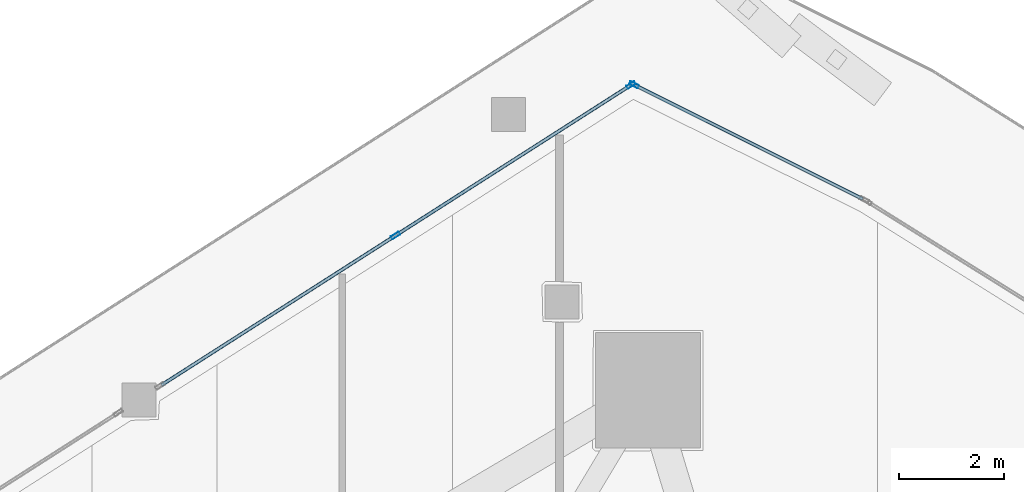
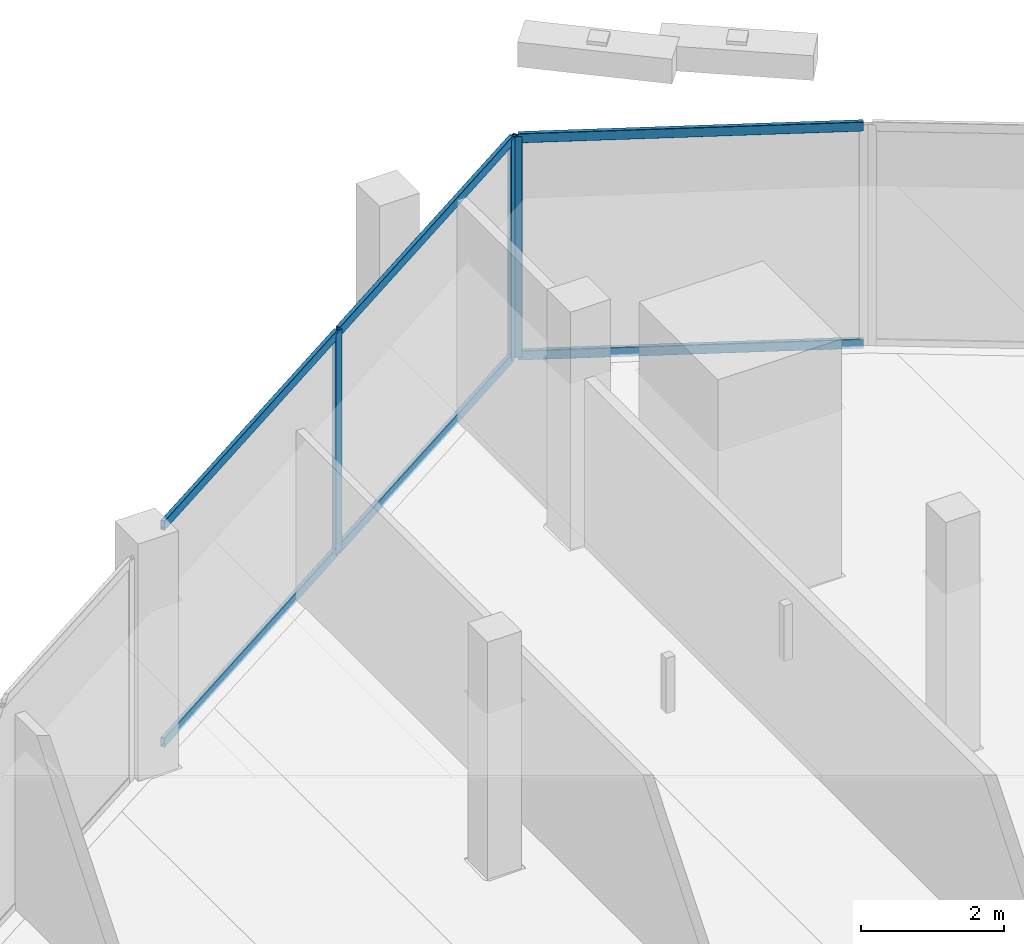
# One storey, part 24 of 45: 9 members, 2 elements without a shape of their own.
"""IFC4 building model written with IfcOpenShell, lengths in metres."""

from ifc_helpers import new_model, si_unit, direction, frame, origin, origin_2d, place, context, subcontext, project, spatial, hollow_rectangle, extrude, material, layer, layer_set, material_profile, profile_set, type_object, element, aggregate, save


model = new_model("IFC4")

# Units and contexts
model_context = context("Model", 3, precision=1e-05, world=origin(), true_north=direction((0.0, 1.0)))
body_context = subcontext(model_context, "Body", "Model", "MODEL_VIEW")
ifc_project = project(units=[si_unit("LENGTHUNIT", "METRE"), si_unit("AREAUNIT", "SQUARE_METRE"), si_unit("VOLUMEUNIT", "CUBIC_METRE"), si_unit("PLANEANGLEUNIT", "RADIAN"), si_unit("MASSUNIT", "GRAM", prefix="KILO")], contexts=[model_context])

# Site, building, storey
site_placement = place(None, origin())
site = spatial("IfcSite", under=ifc_project, at=site_placement, CompositionType="ELEMENT")
building_placement = place(site_placement, origin())
building = spatial("IfcBuilding", under=site, at=building_placement, Name="Qorvath Tower", CompositionType="ELEMENT")
storey_placement = place(building_placement, frame((0.0, 0.0, 109.800048828125)))
storey = spatial("IfcBuildingStorey", under=building, at=storey_placement, Name="L24", CompositionType="ELEMENT", Elevation=109.800048828125)

# Curtain wall, member
ifc_material_1 = material(Name="Anodised aluminium and triple low-E glass", Category="aluminium")
ifc_layer = layer(ifc_material_1, 0.179931640625)
ifc_layer_set = layer_set([ifc_layer], Name="CW-SYS-2")
curtain_wall_type = type_object("IfcCurtainWallType", Name="CW-SYS-2", PredefinedType="NOTDEFINED", material=ifc_layer_set)
curtain_wall_1_placement = place(storey_placement, origin())
curtain_wall_1 = element("IfcCurtainWall", 1, at=curtain_wall_1_placement, inside=storey, type_object=curtain_wall_type, Name="Curtain Wall CW-2 CW-T-L24-15.1", PredefinedType="NOTDEFINED")
ifc_material_2 = material(Name="Anodised aluminium 6063-T6", Category="aluminium")
ifc_material_profile_1 = material_profile(ifc_material_2, hollow_rectangle(XDim=0.06494140625, YDim=0.179931640625, WallThickness=0.00341796875, InnerFilletRadius=0.00341796875, OuterFilletRadius=0.007080078125, at=origin_2d()), Name="CWM 180x65")
ifc_profile_set_1 = profile_set([ifc_material_profile_1], Name="Anodised aluminium 6063-T6")
member_type_1 = type_object("IfcMemberType", Name="CWM-180", PredefinedType="MULLION", material=ifc_profile_set_1)
member_1_placement = place(storey_placement, frame((-15.61083984375, 31.065673828125, 0.0), z_axis=(0.0, 0.0, 1.0), x_axis=(-0.447181364469, -0.89444330579, 0.0)))
member_1 = element("IfcMember", 2, at=member_1_placement, type_object=member_type_1, Name="CW-2 mullion 2", PredefinedType="MULLION", context=body_context, shape_type="SweptSolid", body=[
    extrude(hollow_rectangle(XDim=0.06494140625, YDim=0.179931640625, WallThickness=0.00341796875, InnerFilletRadius=0.00341796875, OuterFilletRadius=0.007080078125, at=origin_2d()), origin(), (0.0, 0.0, 1.0), 3.77001953125),
])

# Curtain wall, members
curtain_wall_2_placement = place(storey_placement, origin())
curtain_wall_2 = element("IfcCurtainWall", 3, at=curtain_wall_2_placement, inside=storey, type_object=curtain_wall_type, Name="Curtain Wall CW-2 CW-T-L24-16.1", PredefinedType="NOTDEFINED")
member_2_placement = place(storey_placement, frame((-15.667236328125, 31.062744140625, 0.0), z_axis=(0.0, 0.0, 1.0), x_axis=(0.538532879619, -0.842604496528, 0.0)))
member_2 = element("IfcMember", 4, at=member_2_placement, type_object=member_type_1, Name="CW-2 mullion 1", PredefinedType="MULLION", context=body_context, shape_type="SweptSolid", body=[
    extrude(hollow_rectangle(XDim=0.06494140625, YDim=0.179931640625, WallThickness=0.00341796875, InnerFilletRadius=0.00341796875, OuterFilletRadius=0.007080078125, at=origin_2d()), origin(), (0.0, 0.0, 1.0), 3.77001953125),
])
member_3_placement = place(storey_placement, frame((-20.15380859375, 28.1953125, 0.0), z_axis=(0.0, 0.0, 1.0), x_axis=(0.538532879619, -0.842604496528, 0.0)))
member_3 = element("IfcMember", 5, at=member_3_placement, type_object=member_type_1, Name="CW-2 mullion 2", PredefinedType="MULLION", context=body_context, shape_type="SweptSolid", body=[
    extrude(hollow_rectangle(XDim=0.06494140625, YDim=0.179931640625, WallThickness=0.00341796875, InnerFilletRadius=0.00341796875, OuterFilletRadius=0.007080078125, at=origin_2d()), origin(), (0.0, 0.0, 1.0), 3.77001953125),
])

# Member
ifc_material_3 = material(Name="Anodised aluminium 6063-T6", Category="aluminium")
ifc_material_profile_2 = material_profile(ifc_material_3, hollow_rectangle(XDim=0.06494140625, YDim=0.159912109375, WallThickness=0.00341796875, InnerFilletRadius=0.00341796875, OuterFilletRadius=0.007080078125, at=origin_2d()), Name="CWT 160x65")
ifc_profile_set_2 = profile_set([ifc_material_profile_2], Name="Anodised aluminium 6063-T6")
member_type_2 = type_object("IfcMemberType", Name="CWT-160", PredefinedType="USERDEFINED", material=ifc_profile_set_2)
member_4_placement = place(storey_placement, frame((-11.2578125, 28.889404296875, 0.032470703125), z_axis=(-0.894437291131, 0.447193394668, 0.0), x_axis=(-0.447193394668, -0.894437291131, 0.0)))
member_4 = element("IfcMember", 6, at=member_4_placement, type_object=member_type_2, Name="CW-2 transom 1.1", ObjectType="TRANSOM", PredefinedType="USERDEFINED", context=body_context, shape_type="SweptSolid", body=[
    extrude(hollow_rectangle(XDim=0.06494140625, YDim=0.159912109375, WallThickness=0.00341796875, InnerFilletRadius=0.00341796875, OuterFilletRadius=0.007080078125, at=origin_2d()), origin(), (0.0, 0.0, 1.0), 4.834228515625),
])

member_5_placement = place(storey_placement, frame((-11.2578125, 28.889404296875, 3.737548828125), z_axis=(-0.894437291131, 0.447193394668, 0.0), x_axis=(-0.447193394668, -0.894437291131, 0.0)))
member_5 = element("IfcMember", 7, at=member_5_placement, type_object=member_type_2, Name="CW-2 transom 1.2", ObjectType="TRANSOM", PredefinedType="USERDEFINED", context=body_context, shape_type="SweptSolid", body=[
    extrude(hollow_rectangle(XDim=0.06494140625, YDim=0.159912109375, WallThickness=0.00341796875, InnerFilletRadius=0.00341796875, OuterFilletRadius=0.007080078125, at=origin_2d()), origin(), (0.0, 0.0, 1.0), 4.834228515625),
])

aggregate(curtain_wall_1, [member_1, member_4, member_5])

member_6_placement = place(storey_placement, frame((-15.694580078125, 31.04541015625, 0.032470703125), z_axis=(-0.842593283783, -0.538550423009, 0.0), x_axis=(0.538550423009, -0.842593283783, 0.0)))
member_6 = element("IfcMember", 8, at=member_6_placement, type_object=member_type_2, Name="CW-2 transom 1.1", ObjectType="TRANSOM", PredefinedType="USERDEFINED", context=body_context, shape_type="SweptSolid", body=[
    extrude(hollow_rectangle(XDim=0.06494140625, YDim=0.159912109375, WallThickness=0.00341796875, InnerFilletRadius=0.00341796875, OuterFilletRadius=0.007080078125, at=origin_2d()), origin(), (0.0, 0.0, 1.0), 5.259521484375),
])

member_7_placement = place(storey_placement, frame((-15.694580078125, 31.04541015625, 3.737548828125), z_axis=(-0.842593283783, -0.538550423009, 0.0), x_axis=(0.538550423009, -0.842593283783, 0.0)))
member_7 = element("IfcMember", 9, at=member_7_placement, type_object=member_type_2, Name="CW-2 transom 1.2", ObjectType="TRANSOM", PredefinedType="USERDEFINED", context=body_context, shape_type="SweptSolid", body=[
    extrude(hollow_rectangle(XDim=0.06494140625, YDim=0.159912109375, WallThickness=0.00341796875, InnerFilletRadius=0.00341796875, OuterFilletRadius=0.007080078125, at=origin_2d()), origin(), (0.0, 0.0, 1.0), 5.259521484375),
])

member_8_placement = place(storey_placement, frame((-20.18115234375, 28.177978515625, 0.032470703125), z_axis=(-0.842593283783, -0.538550423009, 0.0), x_axis=(0.538550423009, -0.842593283783, 0.0)))
member_8 = element("IfcMember", 10, at=member_8_placement, type_object=member_type_2, Name="CW-2 transom 2.1", ObjectType="TRANSOM", PredefinedType="USERDEFINED", context=body_context, shape_type="SweptSolid", body=[
    extrude(hollow_rectangle(XDim=0.06494140625, YDim=0.159912109375, WallThickness=0.00341796875, InnerFilletRadius=0.00341796875, OuterFilletRadius=0.007080078125, at=origin_2d()), origin(), (0.0, 0.0, 1.0), 5.259521484375),
])

member_9_placement = place(storey_placement, frame((-20.18115234375, 28.177978515625, 3.737548828125), z_axis=(-0.842593283783, -0.538550423009, 0.0), x_axis=(0.538550423009, -0.842593283783, 0.0)))
member_9 = element("IfcMember", 11, at=member_9_placement, type_object=member_type_2, Name="CW-2 transom 2.2", ObjectType="TRANSOM", PredefinedType="USERDEFINED", context=body_context, shape_type="SweptSolid", body=[
    extrude(hollow_rectangle(XDim=0.06494140625, YDim=0.159912109375, WallThickness=0.00341796875, InnerFilletRadius=0.00341796875, OuterFilletRadius=0.007080078125, at=origin_2d()), origin(), (0.0, 0.0, 1.0), 5.259521484375),
])

aggregate(curtain_wall_2, [member_2, member_3, member_6, member_7, member_8, member_9])

save(model, "model.ifc")
